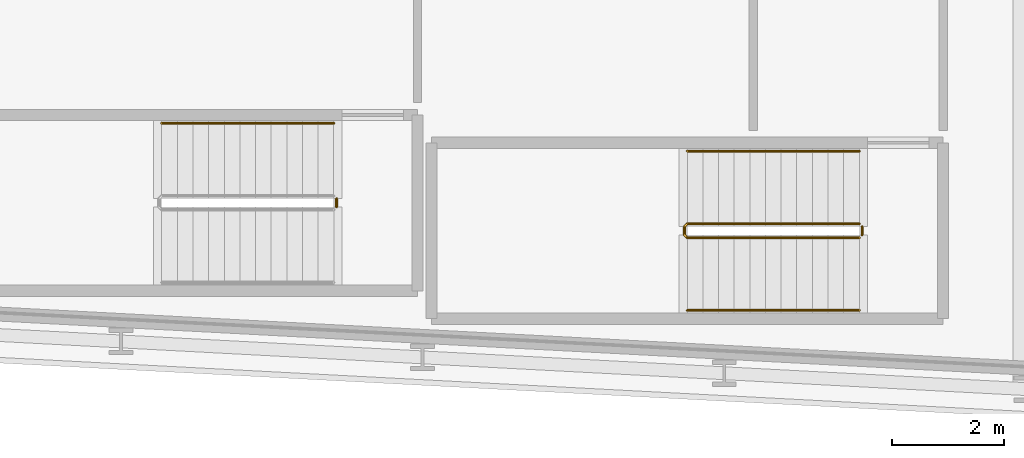
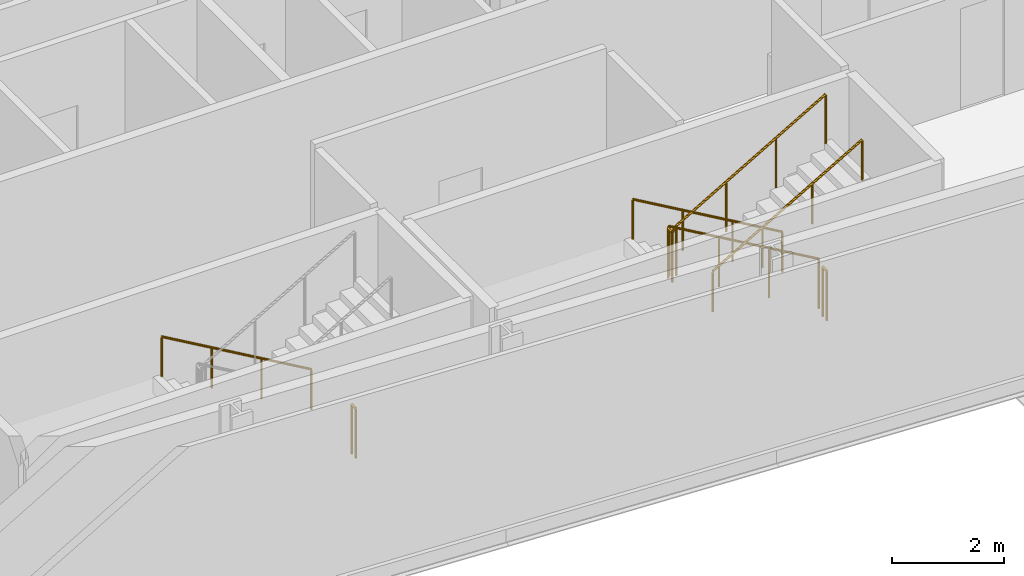
# One storey, part 25 of 28: 6 railings.
"""IFC4 building model written with IfcOpenShell, lengths in metres."""

from ifc_helpers import new_model, si_unit, direction, frame, origin, origin_2d, place, context, subcontext, project, spatial, circle, extrude, material, type_object, element, save


model = new_model("IFC4")

# Units and contexts
model_context = context("Model", 3, precision=1e-05, world=origin(), true_north=direction((0.0, 1.0)))
body_context = subcontext(model_context, "Body", "Model", "MODEL_VIEW")
ifc_project = project(units=[si_unit("LENGTHUNIT", "METRE"), si_unit("AREAUNIT", "SQUARE_METRE"), si_unit("VOLUMEUNIT", "CUBIC_METRE"), si_unit("PLANEANGLEUNIT", "RADIAN"), si_unit("MASSUNIT", "GRAM", prefix="KILO")], contexts=[model_context])

# Site, building, storey
site_placement = place(None, origin())
site = spatial("IfcSite", under=ifc_project, at=site_placement, CompositionType="ELEMENT")
building_placement = place(site_placement, origin())
building = spatial("IfcBuilding", under=site, at=building_placement, Name="Kheshtan School and Residences Tower", CompositionType="ELEMENT")
storey_placement = place(building_placement, frame((0.0, 0.0, 77.300048828125)))
storey = spatial("IfcBuildingStorey", under=building, at=storey_placement, Name="L18", CompositionType="ELEMENT", Elevation=77.300048828125)

# Railings
ifc_material_1 = material(Name="Stainless steel balustrade", Category="steel")
railing_type_1 = type_object("IfcRailingType", Name="Stair guard 1100", PredefinedType="GUARDRAIL", material=ifc_material_1)
railing_1_placement = place(storey_placement, frame((87.820068359375, 23.949951171875, 0.162353515625)))
element("IfcRailing", 1, at=railing_1_placement, inside=storey, type_object=railing_type_1, Name="L18 ST4 stair guard 1", PredefinedType="GUARDRAIL", context=body_context, shape_type="SweptSolid", body=[
    extrude(circle(Radius=0.02392578125, at=origin_2d()), frame((0.0, 0.0, 1.076171875), z_axis=(-0.864890721111, 0.0, 0.501960198159), x_axis=(0.0, -1.0, 0.0)), (0.0, 0.0, 1.0), 3.561279296875),
    extrude(circle(Radius=0.02392578125, at=origin_2d()), frame((-3.080078125, 0.0, 2.86376953125), z_axis=(-0.707106781187, -0.707106781187, 0.0), x_axis=(0.707106781187, -0.707106781187, 0.0)), (0.0, 0.0, 1.0), 0.07080078125),
    extrude(circle(Radius=0.02392578125, at=origin_2d()), frame((-3.130126953125, -0.050048828125, 2.86376953125), z_axis=(0.0, -1.0, 0.0), x_axis=(1.0, 0.0, 0.0)), (0.0, 0.0, 1.0), 0.14990234375),
    extrude(circle(Radius=0.02392578125, at=origin_2d()), frame((-3.130126953125, -0.199951171875, 2.86376953125), z_axis=(0.282227285176, -0.282227285176, 0.916894497205), x_axis=(0.707106781187, 0.707106781187, 0.0)), (0.0, 0.0, 1.0), 0.17724609375),
    extrude(circle(Radius=0.02392578125, at=origin_2d()), frame((-3.080078125, -0.25, 3.0263671875), z_axis=(0.864920483161, 0.0, 0.501908913857), x_axis=(0.0, 1.0, 0.0)), (0.0, 0.0, 1.0), 3.56103515625),
    extrude(circle(Radius=0.02099609375, at=origin_2d()), origin(), (0.0, 0.0, 1.0), 1.052001953125),
    extrude(circle(Radius=0.02099609375, at=origin_2d()), frame((-1.026611328125, 0.0, 0.595947265625)), (0.0, 0.0, 1.0), 1.052001953125),
    extrude(circle(Radius=0.02099609375, at=origin_2d()), frame((-2.053466796875, 0.0, 1.191650390625)), (0.0, 0.0, 1.0), 1.052001953125),
    extrude(circle(Radius=0.02099609375, at=origin_2d()), frame((-3.080078125, 0.0, 1.78759765625)), (0.0, 0.0, 1.0), 1.052001953125),
    extrude(circle(Radius=0.02099609375, at=origin_2d()), frame((-3.130126953125, -0.050048828125, 1.78759765625)), (0.0, 0.0, 1.0), 1.052001953125),
    extrude(circle(Radius=0.02099609375, at=origin_2d()), frame((-3.130126953125, -0.199951171875, 1.78759765625)), (0.0, 0.0, 1.0), 1.052001953125),
    extrude(circle(Radius=0.02099609375, at=origin_2d()), frame((-3.080078125, -0.25, 1.9501953125)), (0.0, 0.0, 1.0), 1.052001953125),
    extrude(circle(Radius=0.02099609375, at=origin_2d()), frame((-2.053466796875, -0.25, 2.5458984375)), (0.0, 0.0, 1.0), 1.052001953125),
    extrude(circle(Radius=0.02099609375, at=origin_2d()), frame((-1.026611328125, -0.25, 3.141845703125)), (0.0, 0.0, 1.0), 1.052001953125),
    extrude(circle(Radius=0.02099609375, at=origin_2d()), frame((0.0, -0.25, 3.737548828125)), (0.0, 0.0, 1.0), 1.052001953125),
])
for number, where, name in (
    (2, (87.8701171875, 23.89990234375, 0.0), "L18 ST4 stair guard 2"),
    (3, (78.4599609375, 24.39990234375, 0.0), "L18 ST5 stair guard 2"),
):
    element("IfcRailing", number, at=place(storey_placement, frame(where)), inside=storey, type_object=railing_type_1, Name=name, PredefinedType="GUARDRAIL", context=body_context, shape_type="SweptSolid", body=[
        extrude(circle(Radius=0.02392578125, at=origin_2d()), frame((0.0, 0.0, 1.076171875), z_axis=(0.0, -1.0, 0.0), x_axis=(1.0, 0.0, 0.0)), (0.0, 0.0, 1.0), 0.14990234375),
        extrude(circle(Radius=0.02099609375, at=origin_2d()), origin(), (0.0, 0.0, 1.0), 1.052001953125),
        extrude(circle(Radius=0.02099609375, at=origin_2d()), frame((0.0, -0.14990234375, 0.0)), (0.0, 0.0, 1.0), 1.052001953125),
    ])
ifc_material_2 = material(Name="Stainless steel handrail", Category="steel")
railing_type_2 = type_object("IfcRailingType", Name="Stair handrail 900", PredefinedType="HANDRAIL", material=ifc_material_2)
railing_2_placement = place(storey_placement, frame((87.820068359375, 25.25, 0.162353515625)))
element("IfcRailing", 4, at=railing_2_placement, inside=storey, type_object=railing_type_2, Name="L18 ST4 stair handrail 1", PredefinedType="HANDRAIL", context=body_context, shape_type="SweptSolid", body=[
    extrude(circle(Radius=0.02392578125, at=origin_2d()), frame((0.0, 0.0, 0.8759765625), z_axis=(-0.864890721111, 0.0, 0.501960198159), x_axis=(0.0, -1.0, 0.0)), (0.0, 0.0, 1.0), 3.561279296875),
    extrude(circle(Radius=0.02099609375, at=origin_2d()), origin(), (0.0, 0.0, 1.0), 0.851806640625),
    extrude(circle(Radius=0.02099609375, at=origin_2d()), frame((-1.026611328125, 0.0, 0.595947265625)), (0.0, 0.0, 1.0), 0.851806640625),
    extrude(circle(Radius=0.02099609375, at=origin_2d()), frame((-2.053466796875, 0.0, 1.191650390625)), (0.0, 0.0, 1.0), 0.851806640625),
    extrude(circle(Radius=0.02099609375, at=origin_2d()), frame((-3.080078125, 0.0, 1.78759765625)), (0.0, 0.0, 1.0), 0.851806640625),
])
railing_3_placement = place(storey_placement, frame((84.739990234375, 22.39990234375, 2.112548828125)))
element("IfcRailing", 5, at=railing_3_placement, inside=storey, type_object=railing_type_2, Name="L18 ST4 stair handrail 2", PredefinedType="HANDRAIL", context=body_context, shape_type="SweptSolid", body=[
    extrude(circle(Radius=0.02392578125, at=origin_2d()), frame((0.0, 0.0, 0.8759765625), z_axis=(0.864920483161, 0.0, 0.501908913857), x_axis=(0.0, 1.0, 0.0)), (0.0, 0.0, 1.0), 3.56103515625),
    extrude(circle(Radius=0.02099609375, at=origin_2d()), origin(), (0.0, 0.0, 1.0), 0.851806640625),
    extrude(circle(Radius=0.02099609375, at=origin_2d()), frame((1.026611328125, 0.0, 0.595703125)), (0.0, 0.0, 1.0), 0.851806640625),
    extrude(circle(Radius=0.02099609375, at=origin_2d()), frame((2.053466796875, 0.0, 1.191650390625)), (0.0, 0.0, 1.0), 0.851806640625),
    extrude(circle(Radius=0.02099609375, at=origin_2d()), frame((3.080078125, 0.0, 1.787353515625)), (0.0, 0.0, 1.0), 0.851806640625),
])
railing_4_placement = place(storey_placement, frame((78.409912109375, 25.75, 0.162353515625)))
element("IfcRailing", 6, at=railing_4_placement, inside=storey, type_object=railing_type_2, Name="L18 ST5 stair handrail 1", PredefinedType="HANDRAIL", context=body_context, shape_type="SweptSolid", body=[
    extrude(circle(Radius=0.02392578125, at=origin_2d()), frame((0.0, 0.0, 0.8759765625), z_axis=(-0.864873446163, 0.0, 0.501989962173), x_axis=(0.0, -1.0, 0.0)), (0.0, 0.0, 1.0), 3.56103515625),
    extrude(circle(Radius=0.02099609375, at=origin_2d()), origin(), (0.0, 0.0, 1.0), 0.851806640625),
    extrude(circle(Radius=0.02099609375, at=origin_2d()), frame((-1.026611328125, 0.0, 0.595947265625)), (0.0, 0.0, 1.0), 0.851806640625),
    extrude(circle(Radius=0.02099609375, at=origin_2d()), frame((-2.05322265625, 0.0, 1.191650390625)), (0.0, 0.0, 1.0), 0.851806640625),
    extrude(circle(Radius=0.02099609375, at=origin_2d()), frame((-3.079833984375, 0.0, 1.78759765625)), (0.0, 0.0, 1.0), 0.851806640625),
])

save(model, "model.ifc")
